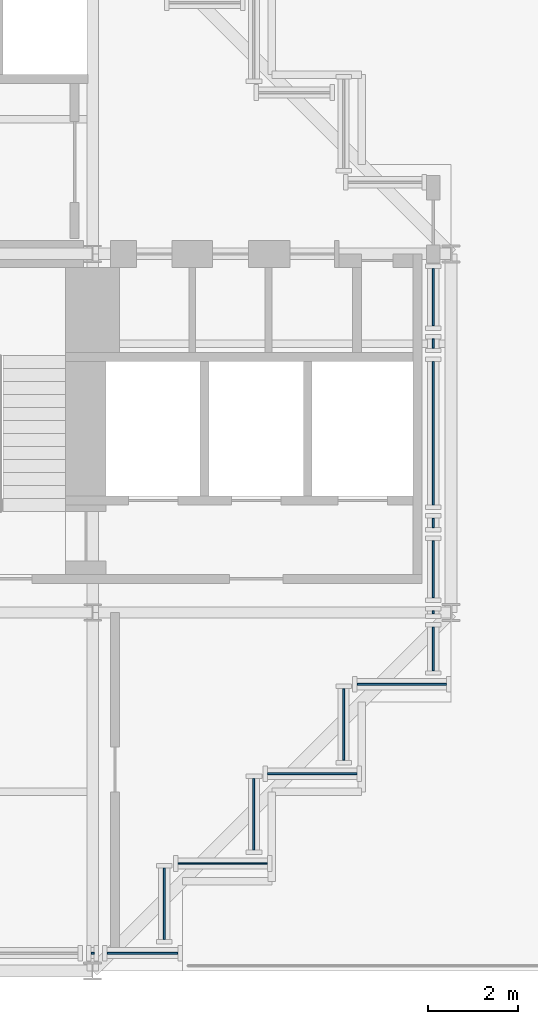
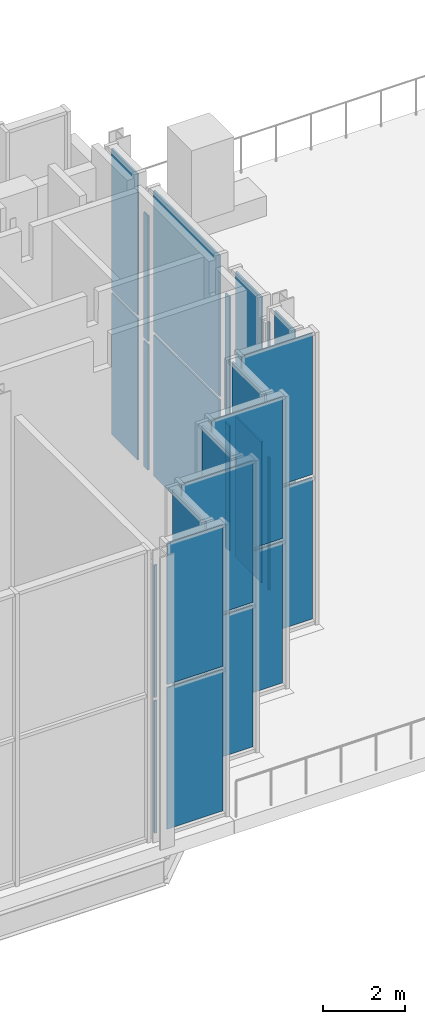
# One storey, part 8 of 15: 30 plates, 15 elements without a shape of their own.
"""IFC4 building model written with IfcOpenShell, lengths in metres."""

from ifc_helpers import new_model, si_unit, direction, frame, origin, origin_2d, place, context, subcontext, project, spatial, rectangle, extrude, material, layer, layer_set, type_object, element, aggregate, save


model = new_model("IFC4")

# Units and contexts
model_context = context("Model", 3, precision=1e-05, world=origin(), true_north=direction((0.0, 1.0)))
body_context = subcontext(model_context, "Body", "Model", "MODEL_VIEW")
ifc_project = project(units=[si_unit("LENGTHUNIT", "METRE"), si_unit("AREAUNIT", "SQUARE_METRE"), si_unit("VOLUMEUNIT", "CUBIC_METRE"), si_unit("PLANEANGLEUNIT", "RADIAN"), si_unit("MASSUNIT", "GRAM", prefix="KILO")], contexts=[model_context])

# Site, building, storey
site_placement = place(None, origin())
site = spatial("IfcSite", under=ifc_project, at=site_placement, CompositionType="ELEMENT")
building_placement = place(site_placement, origin())
building = spatial("IfcBuilding", under=site, at=building_placement, Name="Immortelle Media Tower", CompositionType="ELEMENT")
storey_placement = place(building_placement, frame((0.0, 0.0, 299.0)))
storey = spatial("IfcBuildingStorey", under=building, at=storey_placement, Name="L66", CompositionType="ELEMENT", Elevation=299.0)

# Curtain wall, plates
ifc_material_1 = material(Name="Aluminium curtain wall system", Category="aluminium")
curtain_wall_type = type_object("IfcCurtainWallType", Name="Damper hall glazing curtain wall", PredefinedType="NOTDEFINED", material=ifc_material_1)
curtain_wall_1_placement = place(storey_placement, origin())
curtain_wall_1 = element("IfcCurtainWall", 1, at=curtain_wall_1_placement, inside=storey, type_object=curtain_wall_type, Name="Damper hall glazing L66 E 1", PredefinedType="NOTDEFINED")
ifc_material_2 = material(Name="Warm-lit low-E double glazing", Category="glass")
ifc_layer = layer(ifc_material_2, 0.0439453125)
ifc_layer_set = layer_set([ifc_layer], Name="Warm-lit low-E double glazing")
plate_type = type_object("IfcPlateType", Name="Laminated solar control glazed panel 44 mm", PredefinedType="CURTAIN_PANEL", material=ifc_layer_set)
plate_1_placement = place(storey_placement, frame((17.60009765625, 1.5, 0.10009765625), z_axis=(0.0, 0.0, 1.0), x_axis=(0.0, 1.0, 0.0)))
plate_1 = element("IfcPlate", 2, at=plate_1_placement, type_object=plate_type, Name="CW5 panel 1.1", PredefinedType="CURTAIN_PANEL", context=body_context, shape_type="SweptSolid", body=[
    extrude(rectangle(XDim=1.60009765625, YDim=0.0439453125, at=origin_2d()), origin(), (0.0, 0.0, 1.0), 4.224853515625),
])
plate_2_placement = place(storey_placement, frame((17.60009765625, 1.5, 4.4248046875), z_axis=(0.0, 0.0, 1.0), x_axis=(0.0, 1.0, 0.0)))
plate_2 = element("IfcPlate", 3, at=plate_2_placement, type_object=plate_type, Name="CW5 panel 1.2", PredefinedType="CURTAIN_PANEL", context=body_context, shape_type="SweptSolid", body=[
    extrude(rectangle(XDim=1.60009765625, YDim=0.0439453125, at=origin_2d()), origin(), (0.0, 0.0, 1.0), 4.224853515625),
])
aggregate(curtain_wall_1, [plate_1, plate_2])

curtain_wall_2_placement = place(storey_placement, origin())
curtain_wall_2 = element("IfcCurtainWall", 4, at=curtain_wall_2_placement, inside=storey, type_object=curtain_wall_type, Name="Damper hall glazing L66 S 2", PredefinedType="NOTDEFINED")
plate_3_placement = place(storey_placement, frame((18.89990234375, 2.39990234375, 0.10009765625), z_axis=(0.0, 0.0, 1.0), x_axis=(1.0, 0.0, 0.0)))
plate_3 = element("IfcPlate", 5, at=plate_3_placement, type_object=plate_type, Name="CW5 panel 1.1", PredefinedType="CURTAIN_PANEL", context=body_context, shape_type="SweptSolid", body=[
    extrude(rectangle(XDim=2.0, YDim=0.0439453125, at=origin_2d()), origin(), (0.0, 0.0, 1.0), 4.224853515625),
])
plate_4_placement = place(storey_placement, frame((18.89990234375, 2.39990234375, 4.4248046875), z_axis=(0.0, 0.0, 1.0), x_axis=(1.0, 0.0, 0.0)))
plate_4 = element("IfcPlate", 6, at=plate_4_placement, type_object=plate_type, Name="CW5 panel 1.2", PredefinedType="CURTAIN_PANEL", context=body_context, shape_type="SweptSolid", body=[
    extrude(rectangle(XDim=2.0, YDim=0.0439453125, at=origin_2d()), origin(), (0.0, 0.0, 1.0), 4.224853515625),
])
aggregate(curtain_wall_2, [plate_3, plate_4])

curtain_wall_3_placement = place(storey_placement, origin())
curtain_wall_3 = element("IfcCurtainWall", 7, at=curtain_wall_3_placement, inside=storey, type_object=curtain_wall_type, Name="Damper hall glazing L66 E 3", PredefinedType="NOTDEFINED")
plate_5_placement = place(storey_placement, frame((19.60009765625, 3.5, 0.10009765625), z_axis=(0.0, 0.0, 1.0), x_axis=(0.0, 1.0, 0.0)))
plate_5 = element("IfcPlate", 8, at=plate_5_placement, type_object=plate_type, Name="CW5 panel 1.1", PredefinedType="CURTAIN_PANEL", context=body_context, shape_type="SweptSolid", body=[
    extrude(rectangle(XDim=1.60009765625, YDim=0.0439453125, at=origin_2d()), origin(), (0.0, 0.0, 1.0), 4.224853515625),
])
plate_6_placement = place(storey_placement, frame((19.60009765625, 3.5, 4.4248046875), z_axis=(0.0, 0.0, 1.0), x_axis=(0.0, 1.0, 0.0)))
plate_6 = element("IfcPlate", 9, at=plate_6_placement, type_object=plate_type, Name="CW5 panel 1.2", PredefinedType="CURTAIN_PANEL", context=body_context, shape_type="SweptSolid", body=[
    extrude(rectangle(XDim=1.60009765625, YDim=0.0439453125, at=origin_2d()), origin(), (0.0, 0.0, 1.0), 4.224853515625),
])
aggregate(curtain_wall_3, [plate_5, plate_6])

curtain_wall_4_placement = place(storey_placement, origin())
curtain_wall_4 = element("IfcCurtainWall", 10, at=curtain_wall_4_placement, inside=storey, type_object=curtain_wall_type, Name="Damper hall glazing L66 S 4", PredefinedType="NOTDEFINED")
plate_7_placement = place(storey_placement, frame((20.89990234375, 4.39990234375, 0.10009765625), z_axis=(0.0, 0.0, 1.0), x_axis=(1.0, 0.0, 0.0)))
plate_7 = element("IfcPlate", 11, at=plate_7_placement, type_object=plate_type, Name="CW5 panel 1.1", PredefinedType="CURTAIN_PANEL", context=body_context, shape_type="SweptSolid", body=[
    extrude(rectangle(XDim=2.0, YDim=0.0439453125, at=origin_2d()), origin(), (0.0, 0.0, 1.0), 4.224853515625),
])
plate_8_placement = place(storey_placement, frame((20.89990234375, 4.39990234375, 4.4248046875), z_axis=(0.0, 0.0, 1.0), x_axis=(1.0, 0.0, 0.0)))
plate_8 = element("IfcPlate", 12, at=plate_8_placement, type_object=plate_type, Name="CW5 panel 1.2", PredefinedType="CURTAIN_PANEL", context=body_context, shape_type="SweptSolid", body=[
    extrude(rectangle(XDim=2.0, YDim=0.0439453125, at=origin_2d()), origin(), (0.0, 0.0, 1.0), 4.224853515625),
])
aggregate(curtain_wall_4, [plate_7, plate_8])

curtain_wall_5_placement = place(storey_placement, origin())
curtain_wall_5 = element("IfcCurtainWall", 13, at=curtain_wall_5_placement, inside=storey, type_object=curtain_wall_type, Name="Damper hall glazing L66 E 5", PredefinedType="NOTDEFINED")
plate_9_placement = place(storey_placement, frame((21.60009765625, 5.5, 0.10009765625), z_axis=(0.0, 0.0, 1.0), x_axis=(0.0, 1.0, 0.0)))
plate_9 = element("IfcPlate", 14, at=plate_9_placement, type_object=plate_type, Name="CW5 panel 1.1", PredefinedType="CURTAIN_PANEL", context=body_context, shape_type="SweptSolid", body=[
    extrude(rectangle(XDim=1.60009765625, YDim=0.0439453125, at=origin_2d()), origin(), (0.0, 0.0, 1.0), 4.224853515625),
])
plate_10_placement = place(storey_placement, frame((21.60009765625, 5.5, 4.4248046875), z_axis=(0.0, 0.0, 1.0), x_axis=(0.0, 1.0, 0.0)))
plate_10 = element("IfcPlate", 15, at=plate_10_placement, type_object=plate_type, Name="CW5 panel 1.2", PredefinedType="CURTAIN_PANEL", context=body_context, shape_type="SweptSolid", body=[
    extrude(rectangle(XDim=1.60009765625, YDim=0.0439453125, at=origin_2d()), origin(), (0.0, 0.0, 1.0), 4.224853515625),
])
aggregate(curtain_wall_5, [plate_9, plate_10])

curtain_wall_6_placement = place(storey_placement, origin())
curtain_wall_6 = element("IfcCurtainWall", 16, at=curtain_wall_6_placement, inside=storey, type_object=curtain_wall_type, Name="Damper hall glazing L66 S 6", PredefinedType="NOTDEFINED")
plate_11_placement = place(storey_placement, frame((22.89990234375, 6.39990234375, 0.10009765625), z_axis=(0.0, 0.0, 1.0), x_axis=(1.0, 0.0, 0.0)))
plate_11 = element("IfcPlate", 17, at=plate_11_placement, type_object=plate_type, Name="CW5 panel 1.1", PredefinedType="CURTAIN_PANEL", context=body_context, shape_type="SweptSolid", body=[
    extrude(rectangle(XDim=2.0, YDim=0.0439453125, at=origin_2d()), origin(), (0.0, 0.0, 1.0), 4.224853515625),
])
plate_12_placement = place(storey_placement, frame((22.89990234375, 6.39990234375, 4.4248046875), z_axis=(0.0, 0.0, 1.0), x_axis=(1.0, 0.0, 0.0)))
plate_12 = element("IfcPlate", 18, at=plate_12_placement, type_object=plate_type, Name="CW5 panel 1.2", PredefinedType="CURTAIN_PANEL", context=body_context, shape_type="SweptSolid", body=[
    extrude(rectangle(XDim=2.0, YDim=0.0439453125, at=origin_2d()), origin(), (0.0, 0.0, 1.0), 4.224853515625),
])
aggregate(curtain_wall_6, [plate_11, plate_12])

curtain_wall_7_placement = place(storey_placement, origin())
curtain_wall_7 = element("IfcCurtainWall", 19, at=curtain_wall_7_placement, inside=storey, type_object=curtain_wall_type, Name="Damper hall glazing L66 E 7-1", PredefinedType="NOTDEFINED")
plate_13_placement = place(storey_placement, frame((23.60009765625, 7.188232421875, 0.10009765625), z_axis=(0.0, 0.0, 1.0), x_axis=(0.0, 1.0, 0.0)))
plate_13 = element("IfcPlate", 20, at=plate_13_placement, type_object=plate_type, Name="CW5 panel 1.1", PredefinedType="CURTAIN_PANEL", context=body_context, shape_type="SweptSolid", body=[
    extrude(rectangle(XDim=0.9765625, YDim=0.0439453125, at=origin_2d()), origin(), (0.0, 0.0, 1.0), 4.224853515625),
])
plate_14_placement = place(storey_placement, frame((23.60009765625, 7.188232421875, 4.4248046875), z_axis=(0.0, 0.0, 1.0), x_axis=(0.0, 1.0, 0.0)))
plate_14 = element("IfcPlate", 21, at=plate_14_placement, type_object=plate_type, Name="CW5 panel 1.2", PredefinedType="CURTAIN_PANEL", context=body_context, shape_type="SweptSolid", body=[
    extrude(rectangle(XDim=0.9765625, YDim=0.0439453125, at=origin_2d()), origin(), (0.0, 0.0, 1.0), 4.224853515625),
])
aggregate(curtain_wall_7, [plate_13, plate_14])

curtain_wall_8_placement = place(storey_placement, origin())
curtain_wall_8 = element("IfcCurtainWall", 22, at=curtain_wall_8_placement, inside=storey, type_object=curtain_wall_type, Name="Damper hall glazing L66 E 7-2", PredefinedType="NOTDEFINED")
plate_15_placement = place(storey_placement, frame((23.60009765625, 8.0, 0.10009765625), z_axis=(0.0, 0.0, 1.0), x_axis=(0.0, 1.0, 0.0)))
plate_15 = element("IfcPlate", 23, at=plate_15_placement, type_object=plate_type, Name="CW5 panel 1.1", PredefinedType="CURTAIN_PANEL", context=body_context, shape_type="SweptSolid", body=[
    extrude(rectangle(XDim=0.06689453125, YDim=0.0439453125, at=origin_2d()), origin(), (0.0, 0.0, 1.0), 3.956787109375),
])
plate_16_placement = place(storey_placement, frame((23.60009765625, 8.0, 4.15673828125), z_axis=(0.0, 0.0, 1.0), x_axis=(0.0, 1.0, 0.0)))
plate_16 = element("IfcPlate", 24, at=plate_16_placement, type_object=plate_type, Name="CW5 panel 1.2", PredefinedType="CURTAIN_PANEL", context=body_context, shape_type="SweptSolid", body=[
    extrude(rectangle(XDim=0.06689453125, YDim=0.0439453125, at=origin_2d()), origin(), (0.0, 0.0, 1.0), 3.956787109375),
])
aggregate(curtain_wall_8, [plate_15, plate_16])

curtain_wall_9_placement = place(storey_placement, origin())
curtain_wall_9 = element("IfcCurtainWall", 25, at=curtain_wall_9_placement, inside=storey, type_object=curtain_wall_type, Name="Damper hall glazing L66 E 7-3", PredefinedType="NOTDEFINED")
plate_17_placement = place(storey_placement, frame((23.60009765625, 8.96435546875, 0.10009765625), z_axis=(0.0, 0.0, 1.0), x_axis=(0.0, 1.0, 0.0)))
plate_17 = element("IfcPlate", 26, at=plate_17_placement, type_object=plate_type, Name="CW5 panel 1.1", PredefinedType="CURTAIN_PANEL", context=body_context, shape_type="SweptSolid", body=[
    extrude(rectangle(XDim=1.281494140625, YDim=0.0439453125, at=origin_2d()), origin(), (0.0, 0.0, 1.0), 4.224853515625),
])
plate_18_placement = place(storey_placement, frame((23.60009765625, 8.96435546875, 4.4248046875), z_axis=(0.0, 0.0, 1.0), x_axis=(0.0, 1.0, 0.0)))
plate_18 = element("IfcPlate", 27, at=plate_18_placement, type_object=plate_type, Name="CW5 panel 1.2", PredefinedType="CURTAIN_PANEL", context=body_context, shape_type="SweptSolid", body=[
    extrude(rectangle(XDim=1.281494140625, YDim=0.0439453125, at=origin_2d()), origin(), (0.0, 0.0, 1.0), 4.224853515625),
])
aggregate(curtain_wall_9, [plate_17, plate_18])

curtain_wall_10_placement = place(storey_placement, origin())
curtain_wall_10 = element("IfcCurtainWall", 28, at=curtain_wall_10_placement, inside=storey, type_object=curtain_wall_type, Name="Damper hall glazing L66 E 7-4", PredefinedType="NOTDEFINED")
plate_19_placement = place(storey_placement, frame((23.60009765625, 10.0, 0.10009765625), z_axis=(0.0, 0.0, 1.0), x_axis=(0.0, 1.0, 0.0)))
plate_19 = element("IfcPlate", 29, at=plate_19_placement, type_object=plate_type, Name="CW5 panel 1.1", PredefinedType="CURTAIN_PANEL", context=body_context, shape_type="SweptSolid", body=[
    extrude(rectangle(XDim=0.2099609375, YDim=0.0439453125, at=origin_2d()), origin(), (0.0, 0.0, 1.0), 3.749755859375),
])
plate_20_placement = place(storey_placement, frame((23.60009765625, 10.0, 3.94970703125), z_axis=(0.0, 0.0, 1.0), x_axis=(0.0, 1.0, 0.0)))
plate_20 = element("IfcPlate", 30, at=plate_20_placement, type_object=plate_type, Name="CW5 panel 1.2", PredefinedType="CURTAIN_PANEL", context=body_context, shape_type="SweptSolid", body=[
    extrude(rectangle(XDim=0.2099609375, YDim=0.0439453125, at=origin_2d()), origin(), (0.0, 0.0, 1.0), 3.749755859375),
])
aggregate(curtain_wall_10, [plate_19, plate_20])

curtain_wall_11_placement = place(storey_placement, origin())
curtain_wall_11 = element("IfcCurtainWall", 31, at=curtain_wall_11_placement, inside=storey, type_object=curtain_wall_type, Name="Damper hall glazing L66 E 7-5", PredefinedType="NOTDEFINED")
plate_21_placement = place(storey_placement, frame((23.60009765625, 12.0, 0.10009765625), z_axis=(0.0, 0.0, 1.0), x_axis=(0.0, 1.0, 0.0)))
plate_21 = element("IfcPlate", 32, at=plate_21_placement, type_object=plate_type, Name="CW5 panel 1.1", PredefinedType="CURTAIN_PANEL", context=body_context, shape_type="SweptSolid", body=[
    extrude(rectangle(XDim=3.2099609375, YDim=0.0439453125, at=origin_2d()), origin(), (0.0, 0.0, 1.0), 4.224853515625),
])
plate_22_placement = place(storey_placement, frame((23.60009765625, 12.0, 4.4248046875), z_axis=(0.0, 0.0, 1.0), x_axis=(0.0, 1.0, 0.0)))
plate_22 = element("IfcPlate", 33, at=plate_22_placement, type_object=plate_type, Name="CW5 panel 1.2", PredefinedType="CURTAIN_PANEL", context=body_context, shape_type="SweptSolid", body=[
    extrude(rectangle(XDim=3.2099609375, YDim=0.0439453125, at=origin_2d()), origin(), (0.0, 0.0, 1.0), 4.224853515625),
])
aggregate(curtain_wall_11, [plate_21, plate_22])

curtain_wall_12_placement = place(storey_placement, origin())
curtain_wall_12 = element("IfcCurtainWall", 34, at=curtain_wall_12_placement, inside=storey, type_object=curtain_wall_type, Name="Damper hall glazing L66 E 7-6", PredefinedType="NOTDEFINED")
plate_23_placement = place(storey_placement, frame((23.60009765625, 14.0, 0.10009765625), z_axis=(0.0, 0.0, 1.0), x_axis=(0.0, 1.0, 0.0)))
plate_23 = element("IfcPlate", 35, at=plate_23_placement, type_object=plate_type, Name="CW5 panel 1.1", PredefinedType="CURTAIN_PANEL", context=body_context, shape_type="SweptSolid", body=[
    extrude(rectangle(XDim=0.2099609375, YDim=0.0439453125, at=origin_2d()), origin(), (0.0, 0.0, 1.0), 3.749755859375),
])
plate_24_placement = place(storey_placement, frame((23.60009765625, 14.0, 3.94970703125), z_axis=(0.0, 0.0, 1.0), x_axis=(0.0, 1.0, 0.0)))
plate_24 = element("IfcPlate", 36, at=plate_24_placement, type_object=plate_type, Name="CW5 panel 1.2", PredefinedType="CURTAIN_PANEL", context=body_context, shape_type="SweptSolid", body=[
    extrude(rectangle(XDim=0.2099609375, YDim=0.0439453125, at=origin_2d()), origin(), (0.0, 0.0, 1.0), 3.749755859375),
])
aggregate(curtain_wall_12, [plate_23, plate_24])

curtain_wall_13_placement = place(storey_placement, origin())
curtain_wall_13 = element("IfcCurtainWall", 37, at=curtain_wall_13_placement, inside=storey, type_object=curtain_wall_type, Name="Damper hall glazing L66 E 7-7", PredefinedType="NOTDEFINED")
plate_25_placement = place(storey_placement, frame((23.60009765625, 15.03564453125, 0.10009765625), z_axis=(0.0, 0.0, 1.0), x_axis=(0.0, 1.0, 0.0)))
plate_25 = element("IfcPlate", 38, at=plate_25_placement, type_object=plate_type, Name="CW5 panel 1.1", PredefinedType="CURTAIN_PANEL", context=body_context, shape_type="SweptSolid", body=[
    extrude(rectangle(XDim=1.281494140625, YDim=0.0439453125, at=origin_2d()), origin(), (0.0, 0.0, 1.0), 4.224853515625),
])
plate_26_placement = place(storey_placement, frame((23.60009765625, 15.03564453125, 4.4248046875), z_axis=(0.0, 0.0, 1.0), x_axis=(0.0, 1.0, 0.0)))
plate_26 = element("IfcPlate", 39, at=plate_26_placement, type_object=plate_type, Name="CW5 panel 1.2", PredefinedType="CURTAIN_PANEL", context=body_context, shape_type="SweptSolid", body=[
    extrude(rectangle(XDim=1.281494140625, YDim=0.0439453125, at=origin_2d()), origin(), (0.0, 0.0, 1.0), 4.224853515625),
])
aggregate(curtain_wall_13, [plate_25, plate_26])

curtain_wall_14_placement = place(storey_placement, origin())
curtain_wall_14 = element("IfcCurtainWall", 40, at=curtain_wall_14_placement, inside=storey, type_object=curtain_wall_type, Name="Damper hall glazing L66 S 28-4", PredefinedType="NOTDEFINED")
plate_27_placement = place(storey_placement, frame((16.0, 0.39990234375, 0.10009765625), z_axis=(0.0, 0.0, 1.0), x_axis=(1.0, 0.0, 0.0)))
plate_27 = element("IfcPlate", 41, at=plate_27_placement, type_object=plate_type, Name="CW5 panel 1.1", PredefinedType="CURTAIN_PANEL", context=body_context, shape_type="SweptSolid", body=[
    extrude(rectangle(XDim=0.06689453125, YDim=0.0439453125, at=origin_2d()), origin(), (0.0, 0.0, 1.0), 3.956787109375),
])
plate_28_placement = place(storey_placement, frame((16.0, 0.39990234375, 4.15673828125), z_axis=(0.0, 0.0, 1.0), x_axis=(1.0, 0.0, 0.0)))
plate_28 = element("IfcPlate", 42, at=plate_28_placement, type_object=plate_type, Name="CW5 panel 1.2", PredefinedType="CURTAIN_PANEL", context=body_context, shape_type="SweptSolid", body=[
    extrude(rectangle(XDim=0.06689453125, YDim=0.0439453125, at=origin_2d()), origin(), (0.0, 0.0, 1.0), 3.956787109375),
])
aggregate(curtain_wall_14, [plate_27, plate_28])

curtain_wall_15_placement = place(storey_placement, origin())
curtain_wall_15 = element("IfcCurtainWall", 43, at=curtain_wall_15_placement, inside=storey, type_object=curtain_wall_type, Name="Damper hall glazing L66 S 28-5", PredefinedType="NOTDEFINED")
plate_29_placement = place(storey_placement, frame((17.11181640625, 0.39990234375, 0.10009765625), z_axis=(0.0, 0.0, 1.0), x_axis=(1.0, 0.0, 0.0)))
plate_29 = element("IfcPlate", 44, at=plate_29_placement, type_object=plate_type, Name="CW5 panel 1.1", PredefinedType="CURTAIN_PANEL", context=body_context, shape_type="SweptSolid", body=[
    extrude(rectangle(XDim=1.576416015625, YDim=0.0439453125, at=origin_2d()), origin(), (0.0, 0.0, 1.0), 4.224853515625),
])
plate_30_placement = place(storey_placement, frame((17.11181640625, 0.39990234375, 4.4248046875), z_axis=(0.0, 0.0, 1.0), x_axis=(1.0, 0.0, 0.0)))
plate_30 = element("IfcPlate", 45, at=plate_30_placement, type_object=plate_type, Name="CW5 panel 1.2", PredefinedType="CURTAIN_PANEL", context=body_context, shape_type="SweptSolid", body=[
    extrude(rectangle(XDim=1.576416015625, YDim=0.0439453125, at=origin_2d()), origin(), (0.0, 0.0, 1.0), 4.224853515625),
])
aggregate(curtain_wall_15, [plate_29, plate_30])

save(model, "model.ifc")
